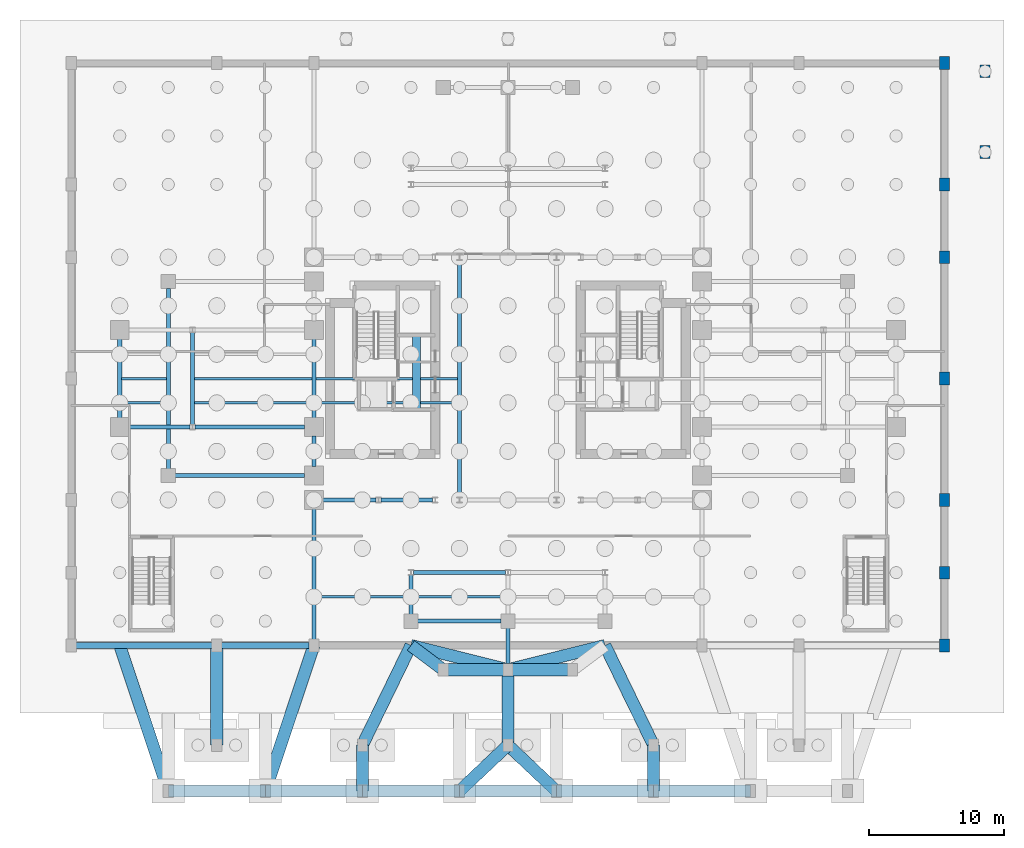
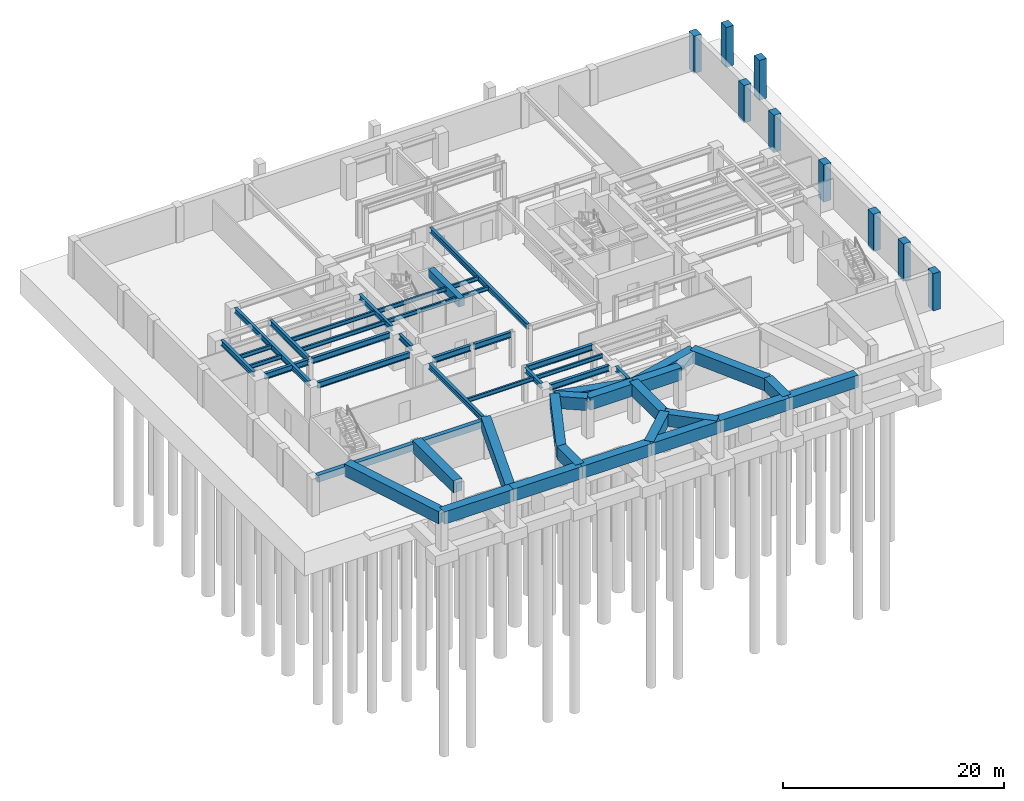
# One storey, part 5 of 13: 48 beams, 9 columns.
"""IFC4 building model written with IfcOpenShell, lengths in metres."""

from ifc_helpers import new_model, si_unit, direction, frame, origin, origin_2d, place, context, subcontext, project, spatial, rectangle, i_section, extrude, source, transform, mapped, material, material_profile, profile_set, type_object, element, save


model = new_model("IFC4")

# Units and contexts
model_context = context("Model", 3, precision=1e-05, world=origin(), true_north=direction((0.0, 1.0)))
body_context = subcontext(model_context, "Body", "Model", "MODEL_VIEW")
ifc_project = project(units=[si_unit("LENGTHUNIT", "METRE"), si_unit("AREAUNIT", "SQUARE_METRE"), si_unit("VOLUMEUNIT", "CUBIC_METRE"), si_unit("PLANEANGLEUNIT", "RADIAN"), si_unit("MASSUNIT", "GRAM", prefix="KILO")], contexts=[model_context])

# Site, building, storey
site_placement = place(None, origin())
site = spatial("IfcSite", under=ifc_project, at=site_placement, CompositionType="ELEMENT")
building_placement = place(site_placement, origin())
building = spatial("IfcBuilding", under=site, at=building_placement, Name="Keilestroom Media Tower", CompositionType="ELEMENT")
storey_placement = place(building_placement, frame((0.0, 0.0, -8.39990234375)))
storey = spatial("IfcBuildingStorey", under=building, at=storey_placement, Name="B2", CompositionType="ELEMENT", Elevation=-8.39990234375)

# Columns
ifc_material_1 = material(Name="Precast concrete C40/50", Category="concrete")
ifc_material_profile_1 = material_profile(ifc_material_1, rectangle(XDim=0.75, YDim=0.949951171875, at=origin_2d()), Name="PC 950x750")
ifc_profile_set_1 = profile_set([ifc_material_profile_1], Name="Precast concrete C40/50")
column_type = type_object("IfcColumnType", Name="Structural-Column-PC-950x750", PredefinedType="COLUMN", material=ifc_profile_set_1)
shared_shape_1 = source(origin(), body_context, "Body", "SweptSolid", [
    extrude(rectangle(XDim=0.75, YDim=0.949951171875, at=origin_2d()), origin(), (0.0, 0.0, 1.0), 4.1201171875),
])
for number, where, z_axis, x_axis, name in (
    (1, (32.39990234375, -19.800048828125, -0.2001953125), (0.0, 0.0, 1.0), (1.0, 0.0, 0.0), "B2 Column PC-1 (+32.4,-19.8)"),
    (2, (32.39990234375, -14.39990234375, -0.2001953125), (0.0, 0.0, 1.0), (1.0, 0.0, 0.0), "B2 Column PC-1 (+32.4,-14.4)"),
    (3, (32.39990234375, -9.0, -0.2001953125), (0.0, 0.0, 1.0), (1.0, 0.0, 0.0), "B2 Column PC-1 (+32.4,-9.0)"),
    (4, (32.39990234375, 0.0, -0.2001953125), (0.0, 0.0, 1.0), (1.0, 0.0, 0.0), "B2 Column PC-1 (+32.4,+0.0)"),
    (5, (32.39990234375, 9.0, -0.2001953125), (0.0, 0.0, 1.0), (1.0, 0.0, 0.0), "B2 Column PC-1 (+32.4,+9.0)"),
    (6, (32.39990234375, 14.39990234375, -0.2001953125), (0.0, 0.0, 1.0), (1.0, 0.0, 0.0), "B2 Column PC-1 (+32.4,+14.4)"),
    (7, (32.39990234375, 23.39990234375, -0.2001953125), (0.0, 0.0, 1.0), (1.0, 0.0, 0.0), "B2 Column PC-1 (+32.4,+23.4)"),
):
    element("IfcColumn", number, at=place(storey_placement, frame(where, z_axis=z_axis, x_axis=x_axis)), inside=storey, type_object=column_type, Name=name, PredefinedType="COLUMN", context=body_context, shape_type="MappedRepresentation", body=[
        mapped(shared_shape_1, transform((0.0, 0.0, 0.0), x_axis=(1.0, 0.0, 0.0), y_axis=(0.0, 1.0, 0.0), z_axis=(0.0, 0.0, 1.0), scale=1.0)),
    ])
shared_shape_2 = source(origin(), body_context, "Body", "SweptSolid", [
    extrude(rectangle(XDim=0.75, YDim=0.949951171875, at=origin_2d()), origin(), (0.0, 0.0, 1.0), 4.400146484375),
])
for number, where, z_axis, x_axis, name in (
    (8, (35.39990234375, 16.800048828125, -0.2001953125), (0.0, 0.0, 1.0), (1.0, 0.0, 0.0), "B2 Column PC-1 (+35.4,+16.8)"),
    (9, (35.39990234375, 22.800048828125, -0.2001953125), (0.0, 0.0, 1.0), (1.0, 0.0, 0.0), "B2 Column PC-1 (+35.4,+22.8)"),
):
    element("IfcColumn", number, at=place(storey_placement, frame(where, z_axis=z_axis, x_axis=x_axis)), inside=storey, type_object=column_type, Name=name, PredefinedType="COLUMN", context=body_context, shape_type="MappedRepresentation", body=[
        mapped(shared_shape_2, transform((0.0, 0.0, 0.0), x_axis=(1.0, 0.0, 0.0), y_axis=(0.0, 1.0, 0.0), z_axis=(0.0, 0.0, 1.0), scale=1.0)),
    ])

# Beams
ifc_material_2 = material(Name="Concrete C55/67", Category="concrete")
ifc_material_profile_2 = material_profile(ifc_material_2, rectangle(XDim=0.89990234375, YDim=1.35009765625, at=origin_2d()), Name="RC 900x1350")
ifc_profile_set_2 = profile_set([ifc_material_profile_2], Name="Concrete C55/67")
beam_type_1 = type_object("IfcBeamType", Name="Primary-Structural-Girder-RC-900x1350", PredefinedType="BEAM", material=ifc_profile_set_2)
shared_shape_3 = source(origin(), body_context, "Body", "SweptSolid", [
    extrude(rectangle(XDim=0.89990234375, YDim=1.35009765625, at=origin_2d()), origin(), (0.0, 0.0, 1.0), 3.0),
])
beam_1_placement = place(storey_placement, frame((-4.800048828125, -21.60009765625, 3.5048828125), z_axis=(-0.799980468008, 0.600026041773, 0.0), x_axis=(-0.600026041773, -0.799980468008, 0.0)))
element("IfcBeam", 10, at=beam_1_placement, inside=storey, type_object=beam_type_1, Name="B2 South-Lobe Podium Tie Girder 1", PredefinedType="BEAM", context=body_context, shape_type="MappedRepresentation", body=[
    mapped(shared_shape_3, transform((0.0, 0.0, 0.0), x_axis=(1.0, 0.0, 0.0), y_axis=(0.0, 1.0, 0.0), z_axis=(0.0, 0.0, 1.0), scale=1.0)),
])
shared_shape_4 = source(origin(), body_context, "Body", "SweptSolid", [
    extrude(rectangle(XDim=0.89990234375, YDim=1.35009765625, at=origin_2d()), origin(), (0.0, 0.0, 1.0), 7.421630859375),
])
for number, where, z_axis, x_axis, name in (
    (11, (0.0, -21.60009765625, 3.5048828125), (-0.970140565046, 0.242543365301, 0.0), (-0.242543365301, -0.970140565046, 0.0), "B2 South-Lobe Podium Tie Girder 2"),
    (12, (0.0, -21.60009765625, 3.5048828125), (0.970140565046, 0.242543365301, 0.0), (-0.242543365301, 0.970140565046, 0.0), "B2 South-Lobe Podium Tie Girder 3"),
):
    element("IfcBeam", number, at=place(storey_placement, frame(where, z_axis=z_axis, x_axis=x_axis)), inside=storey, type_object=beam_type_1, Name=name, PredefinedType="BEAM", context=body_context, shape_type="MappedRepresentation", body=[
        mapped(shared_shape_4, transform((0.0, 0.0, 0.0), x_axis=(1.0, 0.0, 0.0), y_axis=(0.0, 1.0, 0.0), z_axis=(0.0, 0.0, 1.0), scale=1.0)),
    ])
shared_shape_5 = source(origin(), body_context, "Body", "SweptSolid", [
    extrude(rectangle(XDim=0.89990234375, YDim=1.35009765625, at=origin_2d()), origin(), (0.0, 0.0, 1.0), 4.800048828125),
])
for number, where, z_axis, x_axis, name in (
    (13, (-4.800048828125, -21.60009765625, 3.5048828125), (1.0, 0.0, 0.0), (0.0, 1.0, 0.0), "B2 South-Lobe Transverse Tie Girder W"),
    (14, (0.0, -21.60009765625, 3.5048828125), (1.0, 0.0, 0.0), (0.0, 1.0, 0.0), "B2 South-Lobe Transverse Tie Girder E"),
):
    element("IfcBeam", number, at=place(storey_placement, frame(where, z_axis=z_axis, x_axis=x_axis)), inside=storey, type_object=beam_type_1, Name=name, PredefinedType="BEAM", context=body_context, shape_type="MappedRepresentation", body=[
        mapped(shared_shape_5, transform((0.0, 0.0, 0.0), x_axis=(1.0, 0.0, 0.0), y_axis=(0.0, 1.0, 0.0), z_axis=(0.0, 0.0, 1.0), scale=1.0)),
    ])
shared_shape_6 = source(origin(), body_context, "Body", "SweptSolid", [
    extrude(rectangle(XDim=0.89990234375, YDim=1.35009765625, at=origin_2d()), origin(), (0.0, 0.0, 1.0), 11.38427734375),
])
for number, where, z_axis, x_axis, name in (
    (15, (-25.199951171875, -30.60009765625, 3.52490234375), (-0.316234199636, 0.948681153486, 0.0), (-0.948681153486, -0.316234199636, 0.0), "B2 Quay Apron Structural Tie Beam 01"),
    (16, (-18.0, -30.60009765625, 3.52490234375), (0.316234199636, 0.948681153486, 0.0), (-0.948681153486, 0.316234199636, 0.0), "B2 Quay Apron Structural Tie Beam 02"),
):
    element("IfcBeam", number, at=place(storey_placement, frame(where, z_axis=z_axis, x_axis=x_axis)), inside=storey, type_object=beam_type_1, Name=name, PredefinedType="BEAM", context=body_context, shape_type="MappedRepresentation", body=[
        mapped(shared_shape_6, transform((0.0, 0.0, 0.0), x_axis=(1.0, 0.0, 0.0), y_axis=(0.0, 1.0, 0.0), z_axis=(0.0, 0.0, 1.0), scale=1.0)),
    ])
shared_shape_7 = source(origin(), body_context, "Body", "SweptSolid", [
    extrude(rectangle(XDim=0.89990234375, YDim=1.35009765625, at=origin_2d()), origin(), (0.0, 0.0, 1.0), 3.400146484375),
])
for number, where, z_axis, x_axis, name in (
    (17, (-10.800048828125, -30.60009765625, 3.52490234375), (0.0, 1.0, 0.0), (-1.0, 0.0, 0.0), "B2 Quay Apron Structural Tie Beam 03"),
    (18, (10.800048828125, -30.60009765625, 3.52490234375), (0.0, 1.0, 0.0), (-1.0, 0.0, 0.0), "B2 Quay Apron Structural Tie Beam 06"),
):
    element("IfcBeam", number, at=place(storey_placement, frame(where, z_axis=z_axis, x_axis=x_axis)), inside=storey, type_object=beam_type_1, Name=name, PredefinedType="BEAM", context=body_context, shape_type="MappedRepresentation", body=[
        mapped(shared_shape_7, transform((0.0, 0.0, 0.0), x_axis=(1.0, 0.0, 0.0), y_axis=(0.0, 1.0, 0.0), z_axis=(0.0, 0.0, 1.0), scale=1.0)),
    ])
shared_shape_8 = source(origin(), body_context, "Body", "SweptSolid", [
    extrude(rectangle(XDim=0.89990234375, YDim=1.35009765625, at=origin_2d()), origin(), (0.0, 0.0, 1.0), 4.951904296875),
])
for number, where, z_axis, x_axis, name in (
    (19, (-3.60009765625, -30.60009765625, 3.52490234375), (0.72700768346, 0.686629323718, 0.0), (-0.686629323718, 0.72700768346, 0.0), "B2 Quay Apron Structural Tie Beam 04"),
    (20, (3.60009765625, -30.60009765625, 3.52490234375), (-0.72700768346, 0.686629323718, 0.0), (-0.686629323718, -0.72700768346, 0.0), "B2 Quay Apron Structural Tie Beam 05"),
):
    element("IfcBeam", number, at=place(storey_placement, frame(where, z_axis=z_axis, x_axis=x_axis)), inside=storey, type_object=beam_type_1, Name=name, PredefinedType="BEAM", context=body_context, shape_type="MappedRepresentation", body=[
        mapped(shared_shape_8, transform((0.0, 0.0, 0.0), x_axis=(1.0, 0.0, 0.0), y_axis=(0.0, 1.0, 0.0), z_axis=(0.0, 0.0, 1.0), scale=1.0)),
    ])
shared_shape_9 = source(origin(), body_context, "Body", "SweptSolid", [
    extrude(rectangle(XDim=0.89990234375, YDim=1.35009765625, at=origin_2d()), origin(), (0.0, 0.0, 1.0), 7.39990234375),
])
beam_2_placement = place(storey_placement, frame((-21.60009765625, -27.199951171875, 3.52490234375), z_axis=(0.0, 1.0, 0.0), x_axis=(-1.0, 0.0, 0.0)))
element("IfcBeam", 21, at=beam_2_placement, inside=storey, type_object=beam_type_1, Name="B2 Quay Apron Structural Tie Beam 09", PredefinedType="BEAM", context=body_context, shape_type="MappedRepresentation", body=[
    mapped(shared_shape_9, transform((0.0, 0.0, 0.0), x_axis=(1.0, 0.0, 0.0), y_axis=(0.0, 1.0, 0.0), z_axis=(0.0, 0.0, 1.0), scale=1.0)),
])
shared_shape_10 = source(origin(), body_context, "Body", "SweptSolid", [
    extrude(rectangle(XDim=0.89990234375, YDim=1.35009765625, at=origin_2d()), origin(), (0.0, 0.0, 1.0), 8.229248046875),
])
for number, where, z_axis, x_axis, name in (
    (22, (-10.800048828125, -27.199951171875, 3.52490234375), (0.437479983125, 0.899228149228, 0.0), (-0.899228149228, 0.437479983125, 0.0), "B2 Quay Apron Structural Tie Beam 10"),
    (23, (10.800048828125, -27.199951171875, 3.52490234375), (-0.437479983125, 0.899228149228, 0.0), (-0.899228149228, -0.437479983125, 0.0), "B2 Quay Apron Structural Tie Beam 12"),
):
    element("IfcBeam", number, at=place(storey_placement, frame(where, z_axis=z_axis, x_axis=x_axis)), inside=storey, type_object=beam_type_1, Name=name, PredefinedType="BEAM", context=body_context, shape_type="MappedRepresentation", body=[
        mapped(shared_shape_10, transform((0.0, 0.0, 0.0), x_axis=(1.0, 0.0, 0.0), y_axis=(0.0, 1.0, 0.0), z_axis=(0.0, 0.0, 1.0), scale=1.0)),
    ])
shared_shape_11 = source(origin(), body_context, "Body", "SweptSolid", [
    extrude(rectangle(XDim=0.89990234375, YDim=1.35009765625, at=origin_2d()), origin(), (0.0, 0.0, 1.0), 5.599853515625),
])
beam_3_placement = place(storey_placement, frame((0.0, -27.199951171875, 3.52490234375), z_axis=(0.0, 1.0, 0.0), x_axis=(-1.0, 0.0, 0.0)))
element("IfcBeam", 24, at=beam_3_placement, inside=storey, type_object=beam_type_1, Name="B2 Quay Apron Structural Tie Beam 11", PredefinedType="BEAM", context=body_context, shape_type="MappedRepresentation", body=[
    mapped(shared_shape_11, transform((0.0, 0.0, 0.0), x_axis=(1.0, 0.0, 0.0), y_axis=(0.0, 1.0, 0.0), z_axis=(0.0, 0.0, 1.0), scale=1.0)),
])
shared_shape_12 = source(origin(), body_context, "Body", "SweptSolid", [
    extrude(rectangle(XDim=0.89990234375, YDim=1.35009765625, at=origin_2d()), origin(), (0.0, 0.0, 1.0), 7.199951171875),
])
for number, where, z_axis, x_axis, name in (
    (25, (-25.199951171875, -30.60009765625, 3.52490234375), (1.0, 0.0, 0.0), (0.0, 1.0, 0.0), "B2 Quay Apron Structural Tie Beam 14"),
    (26, (-18.0, -30.60009765625, 3.52490234375), (1.0, 0.0, 0.0), (0.0, 1.0, 0.0), "B2 Quay Apron Structural Tie Beam 15"),
    (27, (-10.800048828125, -30.60009765625, 3.52490234375), (1.0, 0.0, 0.0), (0.0, 1.0, 0.0), "B2 Quay Apron Structural Tie Beam 16"),
    (28, (3.60009765625, -30.60009765625, 3.52490234375), (1.0, 0.0, 0.0), (0.0, 1.0, 0.0), "B2 Quay Apron Structural Tie Beam 18"),
    (29, (10.800048828125, -30.60009765625, 3.52490234375), (1.0, 0.0, 0.0), (0.0, 1.0, 0.0), "B2 Quay Apron Structural Tie Beam 19"),
):
    element("IfcBeam", number, at=place(storey_placement, frame(where, z_axis=z_axis, x_axis=x_axis)), inside=storey, type_object=beam_type_1, Name=name, PredefinedType="BEAM", context=body_context, shape_type="MappedRepresentation", body=[
        mapped(shared_shape_12, transform((0.0, 0.0, 0.0), x_axis=(1.0, 0.0, 0.0), y_axis=(0.0, 1.0, 0.0), z_axis=(0.0, 0.0, 1.0), scale=1.0)),
    ])
shared_shape_13 = source(origin(), body_context, "Body", "SweptSolid", [
    extrude(rectangle(XDim=0.89990234375, YDim=1.35009765625, at=origin_2d()), origin(), (0.0, 0.0, 1.0), 7.2001953125),
])
beam_4_placement = place(storey_placement, frame((-3.60009765625, -30.60009765625, 3.52490234375), z_axis=(1.0, 0.0, 0.0), x_axis=(0.0, 1.0, 0.0)))
element("IfcBeam", 30, at=beam_4_placement, inside=storey, type_object=beam_type_1, Name="B2 Quay Apron Structural Tie Beam 17", PredefinedType="BEAM", context=body_context, shape_type="MappedRepresentation", body=[
    mapped(shared_shape_13, transform((0.0, 0.0, 0.0), x_axis=(1.0, 0.0, 0.0), y_axis=(0.0, 1.0, 0.0), z_axis=(0.0, 0.0, 1.0), scale=1.0)),
])
ifc_material_profile_3 = material_profile(ifc_material_1, rectangle(XDim=0.449951171875, YDim=0.75, at=origin_2d()), Name="PC 450x750")
ifc_profile_set_3 = profile_set([ifc_material_profile_3], Name="Precast concrete C40/50")
beam_type_2 = type_object("IfcBeamType", Name="Perimeter-Spandrel-Beam-PC-450x750", PredefinedType="SPANDREL", material=ifc_profile_set_3)
shared_shape_14 = source(origin(), body_context, "Body", "SweptSolid", [
    extrude(rectangle(XDim=0.449951171875, YDim=0.75, at=origin_2d()), origin(), (0.0, 0.0, 1.0), 10.08984375),
])
beam_5_placement = place(storey_placement, frame((-32.044921875, -19.800048828125, 3.544921875), z_axis=(1.0, 0.0, 0.0), x_axis=(0.0, 1.0, 0.0)))
element("IfcBeam", 31, at=beam_5_placement, inside=storey, type_object=beam_type_2, Name="B2 Beam SPB-1 BM-B2-EW-001", PredefinedType="SPANDREL", context=body_context, shape_type="MappedRepresentation", body=[
    mapped(shared_shape_14, transform((0.0, 0.0, 0.0), x_axis=(1.0, 0.0, 0.0), y_axis=(0.0, 1.0, 0.0), z_axis=(0.0, 0.0, 1.0), scale=1.0)),
])
shared_shape_15 = source(origin(), body_context, "Body", "SweptSolid", [
    extrude(rectangle(XDim=0.449951171875, YDim=0.75, at=origin_2d()), origin(), (0.0, 0.0, 1.0), 6.490234375),
])
beam_6_placement = place(storey_placement, frame((-21.2451171875, -19.800048828125, 3.544921875), z_axis=(1.0, 0.0, 0.0), x_axis=(0.0, 1.0, 0.0)))
element("IfcBeam", 32, at=beam_6_placement, inside=storey, type_object=beam_type_2, Name="B2 Beam SPB-1 BM-B2-EW-002", PredefinedType="SPANDREL", context=body_context, shape_type="MappedRepresentation", body=[
    mapped(shared_shape_15, transform((0.0, 0.0, 0.0), x_axis=(1.0, 0.0, 0.0), y_axis=(0.0, 1.0, 0.0), z_axis=(0.0, 0.0, 1.0), scale=1.0)),
])
ifc_material_3 = material(Name="Steel S355", Category="steel")
ifc_material_profile_4 = material_profile(ifc_material_3, i_section(OverallWidth=0.300048828125, OverallDepth=0.64990234375, WebThickness=0.013916015625, FlangeThickness=0.031005859375, at=origin_2d()), Name="HEB 650")
ifc_profile_set_4 = profile_set([ifc_material_profile_4], Name="Steel S355")
beam_type_3 = type_object("IfcBeamType", Name="Primary-Structural-Girder-HEB-650", PredefinedType="BEAM", material=ifc_profile_set_4)
shared_shape_16 = source(origin(), body_context, "Body", "SweptSolid", [
    extrude(i_section(OverallWidth=0.300048828125, OverallDepth=0.64990234375, WebThickness=0.013916015625, FlangeThickness=0.031005859375, at=origin_2d()), origin(), (0.0, 0.0, 1.0), 6.190185546875),
])
beam_7_placement = place(storey_placement, frame((-6.695068359375, -18.0, 3.594970703125), z_axis=(1.0, 0.0, 0.0), x_axis=(0.0, 1.0, 0.0)))
element("IfcBeam", 33, at=beam_7_placement, inside=storey, type_object=beam_type_3, Name="B2 Beam BG-3 BM-B2-EW-005", PredefinedType="BEAM", context=body_context, shape_type="MappedRepresentation", body=[
    mapped(shared_shape_16, transform((0.0, 0.0, 0.0), x_axis=(1.0, 0.0, 0.0), y_axis=(0.0, 1.0, 0.0), z_axis=(0.0, 0.0, 1.0), scale=1.0)),
])
shared_shape_17 = source(origin(), body_context, "Body", "SweptSolid", [
    extrude(i_section(OverallWidth=0.300048828125, OverallDepth=0.64990234375, WebThickness=0.013916015625, FlangeThickness=0.031005859375, at=origin_2d()), origin(), (0.0, 0.0, 1.0), 6.833984375),
])
beam_8_placement = place(storey_placement, frame((-7.01708984375, -14.39990234375, 3.594970703125), z_axis=(1.0, 0.0, 0.0), x_axis=(0.0, 1.0, 0.0)))
element("IfcBeam", 34, at=beam_8_placement, inside=storey, type_object=beam_type_3, Name="B2 Beam BG-3 BM-B2-EW-007", PredefinedType="BEAM", context=body_context, shape_type="MappedRepresentation", body=[
    mapped(shared_shape_17, transform((0.0, 0.0, 0.0), x_axis=(1.0, 0.0, 0.0), y_axis=(0.0, 1.0, 0.0), z_axis=(0.0, 0.0, 1.0), scale=1.0)),
])
shared_shape_18 = source(origin(), body_context, "Body", "SweptSolid", [
    extrude(i_section(OverallWidth=0.300048828125, OverallDepth=0.64990234375, WebThickness=0.013916015625, FlangeThickness=0.031005859375, at=origin_2d()), origin(), (0.0, 0.0, 1.0), 3.93701171875),
])
beam_9_placement = place(storey_placement, frame((-13.719970703125, -9.0, 3.594970703125), z_axis=(1.0, 0.0, 0.0), x_axis=(0.0, 1.0, 0.0)))
element("IfcBeam", 35, at=beam_9_placement, inside=storey, type_object=beam_type_3, Name="B2 Beam BG-3 BM-B2-EW-009", PredefinedType="BEAM", context=body_context, shape_type="MappedRepresentation", body=[
    mapped(shared_shape_18, transform((0.0, 0.0, 0.0), x_axis=(1.0, 0.0, 0.0), y_axis=(0.0, 1.0, 0.0), z_axis=(0.0, 0.0, 1.0), scale=1.0)),
])
shared_shape_19 = source(origin(), body_context, "Body", "SweptSolid", [
    extrude(i_section(OverallWidth=0.300048828125, OverallDepth=0.64990234375, WebThickness=0.013916015625, FlangeThickness=0.031005859375, at=origin_2d()), origin(), (0.0, 0.0, 1.0), 3.833984375),
])
beam_10_placement = place(storey_placement, frame((-9.4169921875, -9.0, 3.594970703125), z_axis=(1.0, 0.0, 0.0), x_axis=(0.0, 1.0, 0.0)))
element("IfcBeam", 36, at=beam_10_placement, inside=storey, type_object=beam_type_3, Name="B2 Beam BG-3 BM-B2-EW-010", PredefinedType="BEAM", context=body_context, shape_type="MappedRepresentation", body=[
    mapped(shared_shape_19, transform((0.0, 0.0, 0.0), x_axis=(1.0, 0.0, 0.0), y_axis=(0.0, 1.0, 0.0), z_axis=(0.0, 0.0, 1.0), scale=1.0)),
])
shared_shape_20 = source(origin(), body_context, "Body", "SweptSolid", [
    extrude(i_section(OverallWidth=0.300048828125, OverallDepth=0.64990234375, WebThickness=0.013916015625, FlangeThickness=0.031005859375, at=origin_2d()), origin(), (0.0, 0.0, 1.0), 9.614990234375),
])
beam_11_placement = place(storey_placement, frame((-24.695068359375, -7.199951171875, 3.594970703125), z_axis=(1.0, 0.0, 0.0), x_axis=(0.0, 1.0, 0.0)))
element("IfcBeam", 37, at=beam_11_placement, inside=storey, type_object=beam_type_3, Name="B2 Beam BG-3 BM-B2-EW-016", PredefinedType="BEAM", context=body_context, shape_type="MappedRepresentation", body=[
    mapped(shared_shape_20, transform((0.0, 0.0, 0.0), x_axis=(1.0, 0.0, 0.0), y_axis=(0.0, 1.0, 0.0), z_axis=(0.0, 0.0, 1.0), scale=1.0)),
])
shared_shape_21 = source(origin(), body_context, "Body", "SweptSolid", [
    extrude(i_section(OverallWidth=0.300048828125, OverallDepth=0.64990234375, WebThickness=0.013916015625, FlangeThickness=0.031005859375, at=origin_2d()), origin(), (0.0, 0.0, 1.0), 4.537109375),
])
beam_12_placement = place(storey_placement, frame((-28.1201171875, -3.60009765625, 3.594970703125), z_axis=(1.0, 0.0, 0.0), x_axis=(0.0, 1.0, 0.0)))
element("IfcBeam", 38, at=beam_12_placement, inside=storey, type_object=beam_type_3, Name="B2 Beam BG-3 BM-B2-EW-018", PredefinedType="BEAM", context=body_context, shape_type="MappedRepresentation", body=[
    mapped(shared_shape_21, transform((0.0, 0.0, 0.0), x_axis=(1.0, 0.0, 0.0), y_axis=(0.0, 1.0, 0.0), z_axis=(0.0, 0.0, 1.0), scale=1.0)),
])
shared_shape_22 = source(origin(), body_context, "Body", "SweptSolid", [
    extrude(i_section(OverallWidth=0.300048828125, OverallDepth=0.64990234375, WebThickness=0.013916015625, FlangeThickness=0.031005859375, at=origin_2d()), origin(), (0.0, 0.0, 1.0), 8.136962890625),
])
beam_13_placement = place(storey_placement, frame((-23.217041015625, -3.60009765625, 3.594970703125), z_axis=(1.0, 0.0, 0.0), x_axis=(0.0, 1.0, 0.0)))
element("IfcBeam", 39, at=beam_13_placement, inside=storey, type_object=beam_type_3, Name="B2 Beam BG-3 BM-B2-EW-019", PredefinedType="BEAM", context=body_context, shape_type="MappedRepresentation", body=[
    mapped(shared_shape_22, transform((0.0, 0.0, 0.0), x_axis=(1.0, 0.0, 0.0), y_axis=(0.0, 1.0, 0.0), z_axis=(0.0, 0.0, 1.0), scale=1.0)),
])
ifc_material_profile_5 = material_profile(ifc_material_3, i_section(OverallWidth=0.300048828125, OverallDepth=0.590087890625, WebThickness=0.012939453125, FlangeThickness=0.02490234375, at=origin_2d()), Name="HEA 600")
ifc_profile_set_5 = profile_set([ifc_material_profile_5], Name="Steel S355")
beam_type_4 = type_object("IfcBeamType", Name="Primary-Structural-Girder-HEA-600", PredefinedType="BEAM", material=ifc_profile_set_5)
shared_shape_23 = source(origin(), body_context, "Body", "SweptSolid", [
    extrude(i_section(OverallWidth=0.300048828125, OverallDepth=0.590087890625, WebThickness=0.012939453125, FlangeThickness=0.02490234375, at=origin_2d()), origin(), (0.0, 0.0, 1.0), 5.83984375),
])
for number, where, z_axis, x_axis, name in (
    (40, (-28.800048828125, -2.919921875, 3.625), (0.0, 1.0, 0.0), (-1.0, 0.0, 0.0), "B2 Beam BG-9 BM-B2-NS-051"),
    (41, (-14.39990234375, -2.919921875, 3.625), (0.0, 1.0, 0.0), (-1.0, 0.0, 0.0), "B2 Beam BG-9 BM-B2-NS-057"),
):
    element("IfcBeam", number, at=place(storey_placement, frame(where, z_axis=z_axis, x_axis=x_axis)), inside=storey, type_object=beam_type_4, Name=name, PredefinedType="BEAM", context=body_context, shape_type="MappedRepresentation", body=[
        mapped(shared_shape_23, transform((0.0, 0.0, 0.0), x_axis=(1.0, 0.0, 0.0), y_axis=(0.0, 1.0, 0.0), z_axis=(0.0, 0.0, 1.0), scale=1.0)),
    ])
shared_shape_24 = source(origin(), body_context, "Body", "SweptSolid", [
    extrude(i_section(OverallWidth=0.300048828125, OverallDepth=0.590087890625, WebThickness=0.012939453125, FlangeThickness=0.02490234375, at=origin_2d()), origin(), (0.0, 0.0, 1.0), 13.39013671875),
])
beam_14_placement = place(storey_placement, frame((-25.199951171875, -6.695068359375, 3.625), z_axis=(0.0, 1.0, 0.0), x_axis=(-1.0, 0.0, 0.0)))
element("IfcBeam", 42, at=beam_14_placement, inside=storey, type_object=beam_type_4, Name="B2 Beam BG-9 BM-B2-NS-052", PredefinedType="BEAM", context=body_context, shape_type="MappedRepresentation", body=[
    mapped(shared_shape_24, transform((0.0, 0.0, 0.0), x_axis=(1.0, 0.0, 0.0), y_axis=(0.0, 1.0, 0.0), z_axis=(0.0, 0.0, 1.0), scale=1.0)),
])
shared_shape_25 = source(origin(), body_context, "Body", "SweptSolid", [
    extrude(i_section(OverallWidth=0.300048828125, OverallDepth=0.590087890625, WebThickness=0.012939453125, FlangeThickness=0.02490234375, at=origin_2d()), origin(), (0.0, 0.0, 1.0), 6.82421875),
])
beam_15_placement = place(storey_placement, frame((-23.39990234375, -3.412109375, 3.625), z_axis=(0.0, 1.0, 0.0), x_axis=(-1.0, 0.0, 0.0)))
element("IfcBeam", 43, at=beam_15_placement, inside=storey, type_object=beam_type_4, Name="B2 Beam BG-9 BM-B2-NS-053", PredefinedType="BEAM", context=body_context, shape_type="MappedRepresentation", body=[
    mapped(shared_shape_25, transform((0.0, 0.0, 0.0), x_axis=(1.0, 0.0, 0.0), y_axis=(0.0, 1.0, 0.0), z_axis=(0.0, 0.0, 1.0), scale=1.0)),
])
shared_shape_26 = source(origin(), body_context, "Body", "SweptSolid", [
    extrude(i_section(OverallWidth=0.300048828125, OverallDepth=0.590087890625, WebThickness=0.012939453125, FlangeThickness=0.02490234375, at=origin_2d()), origin(), (0.0, 0.0, 1.0), 9.6650390625),
])
beam_16_placement = place(storey_placement, frame((-14.39990234375, -19.344970703125, 3.625), z_axis=(0.0, 1.0, 0.0), x_axis=(-1.0, 0.0, 0.0)))
element("IfcBeam", 44, at=beam_16_placement, inside=storey, type_object=beam_type_4, Name="B2 Beam BG-9 BM-B2-NS-054", PredefinedType="BEAM", context=body_context, shape_type="MappedRepresentation", body=[
    mapped(shared_shape_26, transform((0.0, 0.0, 0.0), x_axis=(1.0, 0.0, 0.0), y_axis=(0.0, 1.0, 0.0), z_axis=(0.0, 0.0, 1.0), scale=1.0)),
])
shared_shape_27 = source(origin(), body_context, "Body", "SweptSolid", [
    extrude(i_section(OverallWidth=0.300048828125, OverallDepth=0.590087890625, WebThickness=0.012939453125, FlangeThickness=0.02490234375, at=origin_2d()), origin(), (0.0, 0.0, 1.0), 2.239990234375),
])
beam_17_placement = place(storey_placement, frame((-14.39990234375, -6.52001953125, 3.625), z_axis=(0.0, 1.0, 0.0), x_axis=(-1.0, 0.0, 0.0)))
element("IfcBeam", 45, at=beam_17_placement, inside=storey, type_object=beam_type_4, Name="B2 Beam BG-9 BM-B2-NS-056", PredefinedType="BEAM", context=body_context, shape_type="MappedRepresentation", body=[
    mapped(shared_shape_27, transform((0.0, 0.0, 0.0), x_axis=(1.0, 0.0, 0.0), y_axis=(0.0, 1.0, 0.0), z_axis=(0.0, 0.0, 1.0), scale=1.0)),
])
shared_shape_28 = source(origin(), body_context, "Body", "SweptSolid", [
    extrude(i_section(OverallWidth=0.300048828125, OverallDepth=0.590087890625, WebThickness=0.012939453125, FlangeThickness=0.02490234375, at=origin_2d()), origin(), (0.0, 0.0, 1.0), 2.9072265625),
])
beam_18_placement = place(storey_placement, frame((-7.199951171875, -17.4951171875, 3.625), z_axis=(0.0, 1.0, 0.0), x_axis=(-1.0, 0.0, 0.0)))
element("IfcBeam", 46, at=beam_18_placement, inside=storey, type_object=beam_type_4, Name="B2 Beam BG-9 BM-B2-NS-062", PredefinedType="BEAM", context=body_context, shape_type="MappedRepresentation", body=[
    mapped(shared_shape_28, transform((0.0, 0.0, 0.0), x_axis=(1.0, 0.0, 0.0), y_axis=(0.0, 1.0, 0.0), z_axis=(0.0, 0.0, 1.0), scale=1.0)),
])
shared_shape_29 = source(origin(), body_context, "Body", "SweptSolid", [
    extrude(i_section(OverallWidth=0.300048828125, OverallDepth=0.590087890625, WebThickness=0.012939453125, FlangeThickness=0.02490234375, at=origin_2d()), origin(), (0.0, 0.0, 1.0), 17.6240234375),
])
beam_19_placement = place(storey_placement, frame((-3.60009765625, -8.81201171875, 3.625), z_axis=(0.0, 1.0, 0.0), x_axis=(-1.0, 0.0, 0.0)))
element("IfcBeam", 47, at=beam_19_placement, inside=storey, type_object=beam_type_4, Name="B2 Beam BG-9 BM-B2-NS-065", PredefinedType="BEAM", context=body_context, shape_type="MappedRepresentation", body=[
    mapped(shared_shape_29, transform((0.0, 0.0, 0.0), x_axis=(1.0, 0.0, 0.0), y_axis=(0.0, 1.0, 0.0), z_axis=(0.0, 0.0, 1.0), scale=1.0)),
])
shared_shape_30 = source(origin(), body_context, "Body", "SweptSolid", [
    extrude(i_section(OverallWidth=0.300048828125, OverallDepth=0.590087890625, WebThickness=0.012939453125, FlangeThickness=0.02490234375, at=origin_2d()), origin(), (0.0, 0.0, 1.0), 2.64013671875),
])
beam_20_placement = place(storey_placement, frame((0.0, -21.14501953125, 3.625), z_axis=(0.0, 1.0, 0.0), x_axis=(-1.0, 0.0, 0.0)))
element("IfcBeam", 48, at=beam_20_placement, inside=storey, type_object=beam_type_4, Name="B2 Beam BG-9 BM-B2-NS-066", PredefinedType="BEAM", context=body_context, shape_type="MappedRepresentation", body=[
    mapped(shared_shape_30, transform((0.0, 0.0, 0.0), x_axis=(1.0, 0.0, 0.0), y_axis=(0.0, 1.0, 0.0), z_axis=(0.0, 0.0, 1.0), scale=1.0)),
])
ifc_material_profile_6 = material_profile(ifc_material_3, i_section(OverallWidth=0.18994140625, OverallDepth=0.449951171875, WebThickness=0.009521484375, FlangeThickness=0.0146484375, at=origin_2d()), Name="IPE 450")
ifc_profile_set_6 = profile_set([ifc_material_profile_6], Name="Steel S355")
beam_type_5 = type_object("IfcBeamType", Name="Secondary-Floor-Joist-IPE-450", PredefinedType="JOIST", material=ifc_profile_set_6)
shared_shape_31 = source(origin(), body_context, "Body", "SweptSolid", [
    extrude(i_section(OverallWidth=0.18994140625, OverallDepth=0.449951171875, WebThickness=0.009521484375, FlangeThickness=0.0146484375, at=origin_2d()), origin(), (0.0, 0.0, 1.0), 6.93994140625),
])
beam_21_placement = place(storey_placement, frame((-14.27001953125, -16.199951171875, 3.69482421875), z_axis=(1.0, 0.0, 0.0), x_axis=(0.0, 1.0, 0.0)))
element("IfcBeam", 49, at=beam_21_placement, inside=storey, type_object=beam_type_5, Name="B2 Beam BJ-3 JST-B2-091", PredefinedType="JOIST", context=body_context, shape_type="MappedRepresentation", body=[
    mapped(shared_shape_31, transform((0.0, 0.0, 0.0), x_axis=(1.0, 0.0, 0.0), y_axis=(0.0, 1.0, 0.0), z_axis=(0.0, 0.0, 1.0), scale=1.0)),
])
shared_shape_32 = source(origin(), body_context, "Body", "SweptSolid", [
    extrude(i_section(OverallWidth=0.18994140625, OverallDepth=0.449951171875, WebThickness=0.009521484375, FlangeThickness=0.0146484375, at=origin_2d()), origin(), (0.0, 0.0, 1.0), 6.940185546875),
])
beam_22_placement = place(storey_placement, frame((-7.070068359375, -16.199951171875, 3.69482421875), z_axis=(1.0, 0.0, 0.0), x_axis=(0.0, 1.0, 0.0)))
element("IfcBeam", 50, at=beam_22_placement, inside=storey, type_object=beam_type_5, Name="B2 Beam BJ-3 JST-B2-092", PredefinedType="JOIST", context=body_context, shape_type="MappedRepresentation", body=[
    mapped(shared_shape_32, transform((0.0, 0.0, 0.0), x_axis=(1.0, 0.0, 0.0), y_axis=(0.0, 1.0, 0.0), z_axis=(0.0, 0.0, 1.0), scale=1.0)),
])
shared_shape_33 = source(origin(), body_context, "Body", "SweptSolid", [
    extrude(i_section(OverallWidth=0.18994140625, OverallDepth=0.449951171875, WebThickness=0.009521484375, FlangeThickness=0.0146484375, at=origin_2d()), origin(), (0.0, 0.0, 1.0), 3.33984375),
])
for number, where, z_axis, x_axis, name in (
    (51, (-28.669921875, -1.800048828125, 3.69482421875), (1.0, 0.0, 0.0), (0.0, 1.0, 0.0), "B2 Beam BJ-3 JST-B2-095"),
    (52, (-28.669921875, 0.0, 3.69482421875), (1.0, 0.0, 0.0), (0.0, 1.0, 0.0), "B2 Beam BJ-3 JST-B2-102"),
):
    element("IfcBeam", number, at=place(storey_placement, frame(where, z_axis=z_axis, x_axis=x_axis)), inside=storey, type_object=beam_type_5, Name=name, PredefinedType="JOIST", context=body_context, shape_type="MappedRepresentation", body=[
        mapped(shared_shape_33, transform((0.0, 0.0, 0.0), x_axis=(1.0, 0.0, 0.0), y_axis=(0.0, 1.0, 0.0), z_axis=(0.0, 0.0, 1.0), scale=1.0)),
    ])
shared_shape_34 = source(origin(), body_context, "Body", "SweptSolid", [
    extrude(i_section(OverallWidth=0.18994140625, OverallDepth=0.449951171875, WebThickness=0.009521484375, FlangeThickness=0.0146484375, at=origin_2d()), origin(), (0.0, 0.0, 1.0), 8.739990234375),
])
for number, where, z_axis, x_axis, name in (
    (53, (-23.27001953125, -1.800048828125, 3.69482421875), (1.0, 0.0, 0.0), (0.0, 1.0, 0.0), "B2 Beam BJ-3 JST-B2-096"),
    (54, (-23.27001953125, 0.0, 3.69482421875), (1.0, 0.0, 0.0), (0.0, 1.0, 0.0), "B2 Beam BJ-3 JST-B2-103"),
):
    element("IfcBeam", number, at=place(storey_placement, frame(where, z_axis=z_axis, x_axis=x_axis)), inside=storey, type_object=beam_type_5, Name=name, PredefinedType="JOIST", context=body_context, shape_type="MappedRepresentation", body=[
        mapped(shared_shape_34, transform((0.0, 0.0, 0.0), x_axis=(1.0, 0.0, 0.0), y_axis=(0.0, 1.0, 0.0), z_axis=(0.0, 0.0, 1.0), scale=1.0)),
    ])
shared_shape_35 = source(origin(), body_context, "Body", "SweptSolid", [
    extrude(i_section(OverallWidth=0.18994140625, OverallDepth=0.449951171875, WebThickness=0.009521484375, FlangeThickness=0.0146484375, at=origin_2d()), origin(), (0.0, 0.0, 1.0), 10.5400390625),
])
for number, where, z_axis, x_axis, name in (
    (55, (-14.27001953125, -1.800048828125, 3.69482421875), (1.0, 0.0, 0.0), (0.0, 1.0, 0.0), "B2 Beam BJ-3 JST-B2-097"),
    (56, (-14.27001953125, 0.0, 3.69482421875), (1.0, 0.0, 0.0), (0.0, 1.0, 0.0), "B2 Beam BJ-3 JST-B2-104"),
):
    element("IfcBeam", number, at=place(storey_placement, frame(where, z_axis=z_axis, x_axis=x_axis)), inside=storey, type_object=beam_type_5, Name=name, PredefinedType="JOIST", context=body_context, shape_type="MappedRepresentation", body=[
        mapped(shared_shape_35, transform((0.0, 0.0, 0.0), x_axis=(1.0, 0.0, 0.0), y_axis=(0.0, 1.0, 0.0), z_axis=(0.0, 0.0, 1.0), scale=1.0)),
    ])
ifc_material_4 = material(Name="Concrete C70/85", Category="concrete")
ifc_material_profile_7 = material_profile(ifc_material_4, rectangle(XDim=0.60009765625, YDim=0.89990234375, at=origin_2d()), Name="RC 600x900")
ifc_profile_set_7 = profile_set([ifc_material_profile_7], Name="Concrete C70/85")
beam_type_6 = type_object("IfcBeamType", Name="Core-Coupling-Lintel-Beam-RC-600x900", PredefinedType="LINTEL", material=ifc_profile_set_7)
shared_shape_36 = source(origin(), body_context, "Body", "SweptSolid", [
    extrude(rectangle(XDim=0.60009765625, YDim=0.89990234375, at=origin_2d()), origin(), (0.0, 0.0, 1.0), 5.52001953125),
])
beam_23_placement = place(storey_placement, frame((-6.800048828125, -2.300048828125, 3.469970703125), z_axis=(0.0, 1.0, 0.0), x_axis=(-1.0, 0.0, 0.0)))
element("IfcBeam", 57, at=beam_23_placement, inside=storey, type_object=beam_type_6, Name="B2 Beam CLB-1 CLB-B2-W", PredefinedType="LINTEL", context=body_context, shape_type="MappedRepresentation", body=[
    mapped(shared_shape_36, transform((0.0, 0.0, 0.0), x_axis=(1.0, 0.0, 0.0), y_axis=(0.0, 1.0, 0.0), z_axis=(0.0, 0.0, 1.0), scale=1.0)),
])

save(model, "model.ifc")
